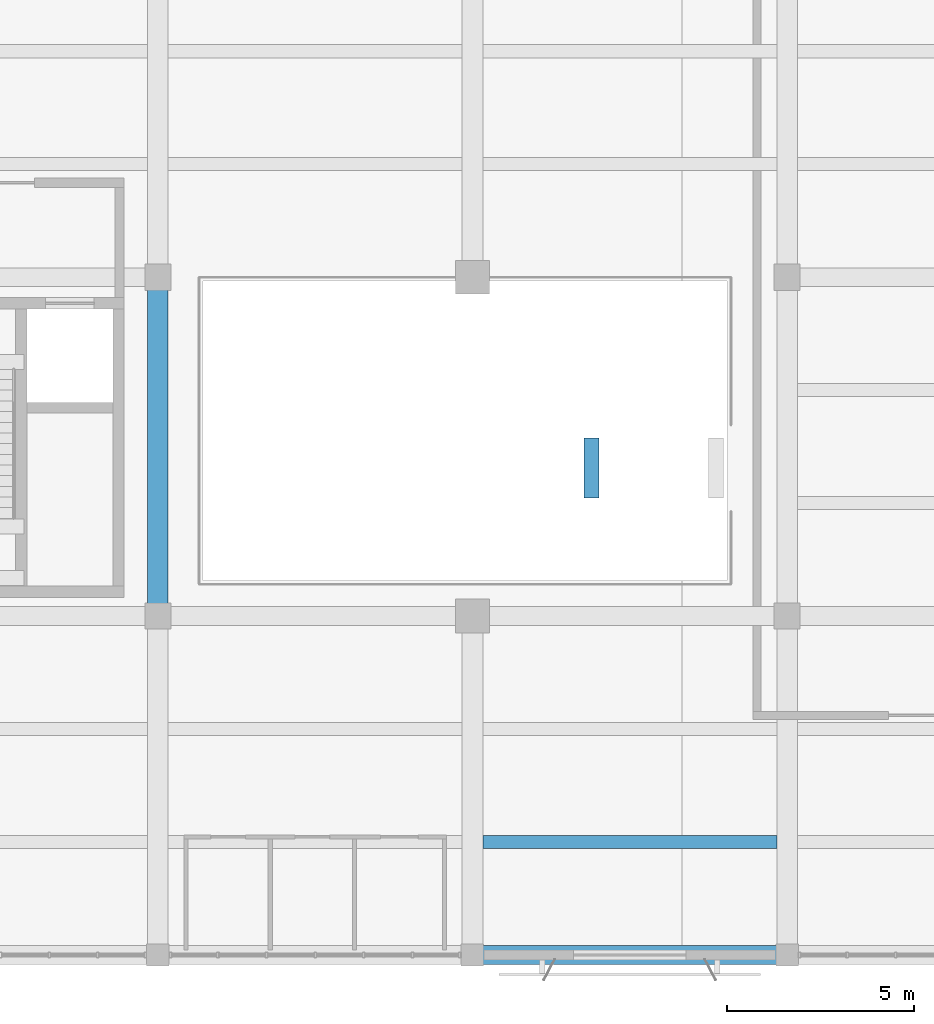
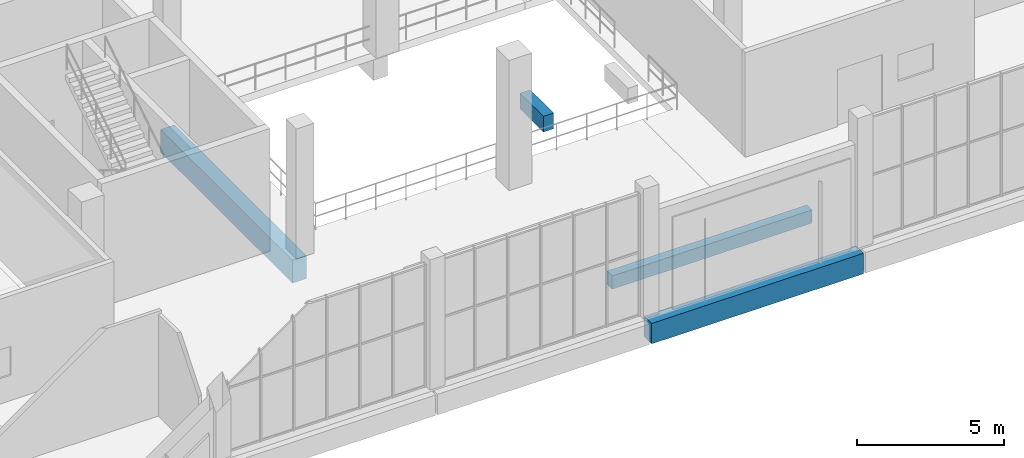
# One storey, part 28 of 132: 4 beams.
"""IFC4 building model written with IfcOpenShell, lengths in metres."""

from ifc_helpers import new_model, si_unit, direction, frame, origin, origin_2d, place, context, subcontext, project, spatial, rectangle, extrude, material, material_profile, profile_set, type_object, element, save


model = new_model("IFC4")

# Units and contexts
model_context = context("Model", 3, precision=1e-05, world=origin(), true_north=direction((0.0, 1.0)))
body_context = subcontext(model_context, "Body", "Model", "MODEL_VIEW")
ifc_project = project(units=[si_unit("LENGTHUNIT", "METRE"), si_unit("AREAUNIT", "SQUARE_METRE"), si_unit("VOLUMEUNIT", "CUBIC_METRE"), si_unit("PLANEANGLEUNIT", "RADIAN"), si_unit("MASSUNIT", "GRAM", prefix="KILO")], contexts=[model_context])

# Site, building, storey
site_placement = place(None, origin())
site = spatial("IfcSite", under=ifc_project, at=site_placement, CompositionType="ELEMENT")
building_placement = place(site_placement, origin())
building = spatial("IfcBuilding", under=site, at=building_placement, Name="Khurvash Pelagic Aquarium", CompositionType="ELEMENT")
storey_placement = place(building_placement, frame((0.0, 0.0, 5.39990234375)))
storey = spatial("IfcBuildingStorey", under=building, at=storey_placement, Name="L01", CompositionType="ELEMENT", Elevation=5.39990234375)

# Beams
ifc_material_1 = material(Name="Concrete C40/50", Category="concrete")
ifc_material_profile_1 = material_profile(ifc_material_1, rectangle(XDim=0.550048828125, YDim=0.949951171875, at=origin_2d()), Name="RC550X950")
ifc_profile_set_1 = profile_set([ifc_material_profile_1], Name="Concrete C40/50")
beam_type_1 = type_object("IfcBeamType", Name="BM-02", PredefinedType="BEAM", material=ifc_profile_set_1)
beam_1_placement = place(storey_placement, frame((67.199951171875, 11.68994140625, -0.784912109375), z_axis=(0.0, 1.0, 0.0), x_axis=(-1.0, 0.0, 0.0)))
element("IfcBeam", 1, at=beam_1_placement, inside=storey, type_object=beam_type_1, Name="L01 Primary Girder BM-02 00394", PredefinedType="BEAM", context=body_context, shape_type="SweptSolid", body=[
    extrude(rectangle(XDim=0.550048828125, YDim=0.949951171875, at=origin_2d()), origin(), (0.0, 0.0, 1.0), 8.969970703125),
])
ifc_material_2 = material(Name="Concrete C35/45", Category="concrete")
ifc_material_profile_2 = material_profile(ifc_material_2, rectangle(XDim=0.39990234375, YDim=0.64990234375, at=origin_2d()), Name="RC400X650")
ifc_profile_set_2 = profile_set([ifc_material_profile_2], Name="Concrete C35/45")
beam_type_2 = type_object("IfcBeamType", Name="BM-05", PredefinedType="BEAM", material=ifc_profile_set_2)
beam_2_placement = place(storey_placement, frame((78.780029296875, 14.800048828125, -0.625), z_axis=(0.0, 1.0, 0.0), x_axis=(-1.0, 0.0, 0.0)))
element("IfcBeam", 2, at=beam_2_placement, inside=storey, type_object=beam_type_2, Name="Foyer Feature Stair ST-07 Trimmer Beam BM-05", PredefinedType="BEAM", context=body_context, shape_type="SweptSolid", body=[
    extrude(rectangle(XDim=0.39990234375, YDim=0.64990234375, at=origin_2d()), origin(), (0.0, 0.0, 1.0), 1.599853515625),
])
ifc_material_profile_3 = material_profile(ifc_material_2, rectangle(XDim=0.35009765625, YDim=0.550048828125, at=origin_2d()), Name="RC350X550")
ifc_profile_set_3 = profile_set([ifc_material_profile_3], Name="Concrete C35/45")
beam_type_3 = type_object("IfcBeamType", Name="JS-01", PredefinedType="JOIST", material=ifc_profile_set_3)
beam_3_placement = place(storey_placement, frame((75.875, 5.616943359375, -0.5849609375), z_axis=(1.0, 0.0, 0.0), x_axis=(0.0, 1.0, 0.0)))
element("IfcBeam", 3, at=beam_3_placement, inside=storey, type_object=beam_type_3, Name="L01 Floor Joist JS-01 00514", PredefinedType="JOIST", context=body_context, shape_type="SweptSolid", body=[
    extrude(rectangle(XDim=0.35009765625, YDim=0.550048828125, at=origin_2d()), origin(), (0.0, 0.0, 1.0), 7.85009765625),
])
ifc_material_profile_4 = material_profile(ifc_material_1, rectangle(XDim=0.5, YDim=0.85009765625, at=origin_2d()), Name="RC500X850")
ifc_profile_set_4 = profile_set([ifc_material_profile_4], Name="Concrete C40/50")
beam_type_4 = type_object("IfcBeamType", Name="SEB-03", PredefinedType="SPANDREL", material=ifc_profile_set_4)
beam_4_placement = place(storey_placement, frame((75.639892578125, 2.60009765625, -0.744873046875), z_axis=(1.0, 0.0, 0.0), x_axis=(0.0, 1.0, 0.0)))
element("IfcBeam", 4, at=beam_4_placement, inside=storey, type_object=beam_type_4, Name="L01 Primary Girder SEB-03 00247", PredefinedType="SPANDREL", context=body_context, shape_type="SweptSolid", body=[
    extrude(rectangle(XDim=0.5, YDim=0.85009765625, at=origin_2d()), origin(), (0.0, 0.0, 1.0), 8.320068359375),
])

save(model, "model.ifc")
